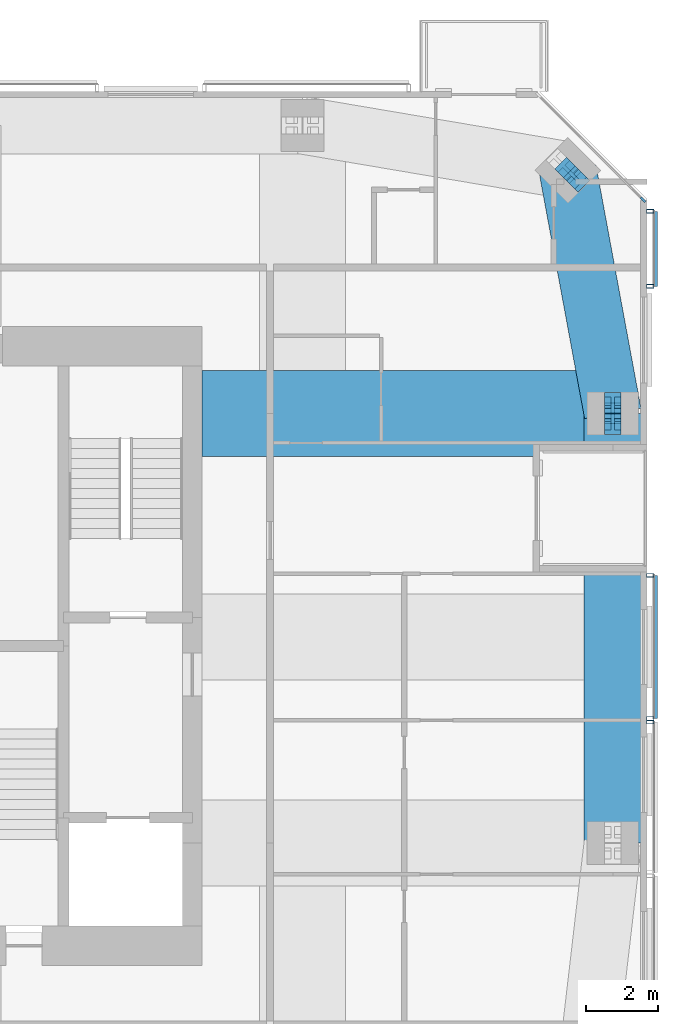
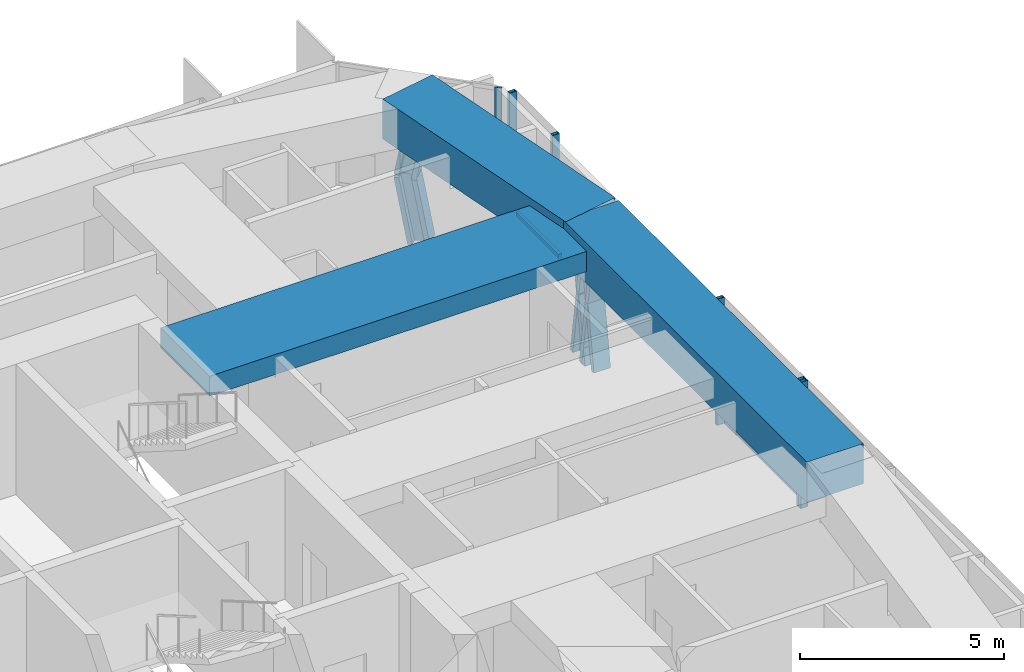
# One storey, part 9 of 20: 14 members, 3 beams, 4 elements without a shape of their own.
"""IFC4 building model written with IfcOpenShell, lengths in metres."""

from ifc_helpers import new_model, si_unit, direction, frame, origin, origin_2d, place, context, subcontext, project, spatial, rectangle, hollow_rectangle, i_section, extrude, material, material_profile, profile_set, type_object, element, aggregate, save


model = new_model("IFC4")

# Units and contexts
model_context = context("Model", 3, precision=1e-05, world=origin(), true_north=direction((0.0, 1.0)))
body_context = subcontext(model_context, "Body", "Model", "MODEL_VIEW")
ifc_project = project(units=[si_unit("LENGTHUNIT", "METRE"), si_unit("AREAUNIT", "SQUARE_METRE"), si_unit("VOLUMEUNIT", "CUBIC_METRE"), si_unit("PLANEANGLEUNIT", "RADIAN"), si_unit("MASSUNIT", "GRAM", prefix="KILO")], contexts=[model_context])

# Site, building, storey
site_placement = place(None, origin())
site = spatial("IfcSite", under=ifc_project, at=site_placement, CompositionType="ELEMENT")
building_placement = place(site_placement, origin())
building = spatial("IfcBuilding", under=site, at=building_placement, Name="Jalousie Tower", CompositionType="ELEMENT")
storey_placement = place(building_placement, frame((0.0, 0.0, 259.949951171875)))
storey = spatial("IfcBuildingStorey", under=building, at=storey_placement, Name="L71", CompositionType="ELEMENT", Elevation=259.949951171875)

# Curtain wall, member
ifc_material_1 = material(Name="Aluminium curtain wall", Category="aluminium")
curtain_wall_type_1 = type_object("IfcCurtainWallType", Name="PENTHOUSE CORNER WINDOW WALL", PredefinedType="USERDEFINED", material=ifc_material_1)
curtain_wall_1_placement = place(storey_placement, origin())
curtain_wall_1 = element("IfcCurtainWall", 1, at=curtain_wall_1_placement, inside=storey, type_object=curtain_wall_type_1, Name="Penthouse Corner Window Wall L71 4", ObjectType="PENTHOUSE CORNER WINDOW WALL", PredefinedType="USERDEFINED")
ifc_material_2 = material(Name="Aluminium mullion", Category="aluminium")
ifc_material_profile_1 = material_profile(ifc_material_2, rectangle(XDim=0.06005859375, YDim=0.179931640625, at=origin_2d()), Name="MULLION 60x180")
ifc_profile_set_1 = profile_set([ifc_material_profile_1], Name="Aluminium mullion")
member_type_1 = type_object("IfcMemberType", Name="PENTHOUSE CORNER WINDOW WALL MULLION", PredefinedType="MULLION", material=ifc_profile_set_1)
member_1_placement = place(storey_placement, frame((56.391357421875, 30.969970703125, 0.0), z_axis=(0.0, 0.0, 1.0), x_axis=(-0.707106781187, -0.707106781187, 0.0)))
member_1 = element("IfcMember", 2, at=member_1_placement, type_object=member_type_1, Name="CW-H mullion 1", PredefinedType="MULLION", context=body_context, shape_type="SweptSolid", body=[
    extrude(rectangle(XDim=0.06005859375, YDim=0.179931640625, at=origin_2d()), origin(), (0.0, 0.0, 1.0), 3.66015625),
])
aggregate(curtain_wall_1, [member_1])

# Members
ifc_material_3 = material(Name="Steel ASTM A992 Grade 50", Category="steel")
ifc_material_profile_2 = material_profile(ifc_material_3, i_section(OverallWidth=0.472412109375, OverallDepth=0.5791015625, WebThickness=0.094970703125, FlangeThickness=0.1298828125, at=origin_2d()), Name="W14X808")
ifc_profile_set_2 = profile_set([ifc_material_profile_2], Name="Steel ASTM A992 Grade 50")
member_type_2 = type_object("IfcMemberType", Name="PERIMETER BRACE W14X808", PredefinedType="BRACE", material=ifc_profile_set_2)
for number, where, z_axis, x_axis, name in (
    (3, (55.550048828125, 24.699951171875, -0.599853515625), (0.0, 0.152085080919, 0.988367405453), (-1.0, 0.0, 0.0), "Perimeter brace 07 L71 part 1"),
    (4, (55.550048828125, 25.0, 1.35009765625), (0.0, 0.152085080919, 0.988367405453), (-1.0, 0.0, 0.0), "Perimeter brace 07 L71 part 2"),
    (5, (55.550048828125, 25.300048828125, -0.599853515625), (0.0, -0.152085080919, 0.988367405453), (1.0, 0.0, 0.0), "Perimeter brace 07 L71 part 3"),
    (6, (55.550048828125, 25.0, 1.35009765625), (0.0, -0.152085080919, 0.988367405453), (1.0, 0.0, 0.0), "Perimeter brace 07 L71 part 4"),
):
    element("IfcMember", number, at=place(storey_placement, frame(where, z_axis=z_axis, x_axis=x_axis)), inside=storey, type_object=member_type_2, Name=name, PredefinedType="BRACE", context=body_context, shape_type="SweptSolid", body=[
        extrude(i_section(OverallWidth=0.472412109375, OverallDepth=0.5791015625, WebThickness=0.094970703125, FlangeThickness=0.1298828125, at=origin_2d()), origin(), (0.0, 0.0, 1.0), 1.972900390625),
    ])
for number, where, z_axis, x_axis, name in (
    (7, (54.540283203125, 31.54541015625, -0.599853515625), (-0.124836902862, 0.124960137712, 0.984276745467), (-0.707455539091, -0.706757851183, 0.0), "Perimeter brace 08 L71 part 1"),
    (8, (54.29296875, 31.79296875, 1.35009765625), (0.124836902862, -0.124960137712, 0.984276745467), (0.707455539091, 0.706757851183, 0.0), "Perimeter brace 08 L71 part 4"),
):
    element("IfcMember", number, at=place(storey_placement, frame(where, z_axis=z_axis, x_axis=x_axis)), inside=storey, type_object=member_type_2, Name=name, PredefinedType="BRACE", context=body_context, shape_type="SweptSolid", body=[
        extrude(i_section(OverallWidth=0.472412109375, OverallDepth=0.5791015625, WebThickness=0.094970703125, FlangeThickness=0.1298828125, at=origin_2d()), origin(), (0.0, 0.0, 1.0), 1.981201171875),
    ])

# Beams
ifc_material_4 = material(Name="Concrete f'c 40 MPa", Category="concrete")
ifc_material_profile_3 = material_profile(ifc_material_4, rectangle(XDim=1.60009765625, YDim=1.199951171875, at=origin_2d()), Name="RC 1600x1200")
ifc_profile_set_3 = profile_set([ifc_material_profile_3], Name="Concrete f'c 40 MPa")
beam_type_1 = type_object("IfcBeamType", Name="RC BEAM 1600x1200", PredefinedType="BEAM", material=ifc_profile_set_3)
beam_1_placement = place(storey_placement, frame((55.550048828125, 13.0, 3.300048828125), z_axis=(0.0, 1.0, 0.0), x_axis=(-1.0, 0.0, 0.0)))
element("IfcBeam", 9, at=beam_1_placement, inside=storey, type_object=beam_type_1, Name="Edge band beam 06-07 under L72", PredefinedType="BEAM", context=body_context, shape_type="SweptSolid", body=[
    extrude(rectangle(XDim=1.60009765625, YDim=1.199951171875, at=origin_2d()), origin(), (0.0, 0.0, 1.0), 12.0),
])
beam_2_placement = place(storey_placement, frame((55.550048828125, 25.0, 3.300048828125), z_axis=(-0.181966505593, 0.983304729391, 0.0), x_axis=(-0.983304729391, -0.181966505593, 0.0)))
element("IfcBeam", 10, at=beam_2_placement, inside=storey, type_object=beam_type_1, Name="Edge band beam 07-08 under L72", PredefinedType="BEAM", context=body_context, shape_type="SweptSolid", body=[
    extrude(rectangle(XDim=1.60009765625, YDim=1.199951171875, at=origin_2d()), origin(), (0.0, 0.0, 1.0), 6.908203125),
])
ifc_material_5 = material(Name="Concrete f'c 40 MPa", Category="concrete")
ifc_material_profile_4 = material_profile(ifc_material_5, rectangle(XDim=2.39990234375, YDim=0.60009765625, at=origin_2d()), Name="RC 2400x600")
ifc_profile_set_4 = profile_set([ifc_material_profile_4], Name="Concrete f'c 40 MPa")
beam_type_2 = type_object("IfcBeamType", Name="RC BEAM 2400x600", PredefinedType="BEAM", material=ifc_profile_set_4)
beam_3_placement = place(storey_placement, frame((55.550048828125, 25.0, 3.360107421875), z_axis=(-1.0, 0.0, 0.0), x_axis=(0.0, -1.0, 0.0)))
element("IfcBeam", 11, at=beam_3_placement, inside=storey, type_object=beam_type_2, Name="Floor band beam under L72", PredefinedType="BEAM", context=body_context, shape_type="SweptSolid", body=[
    extrude(rectangle(XDim=2.39990234375, YDim=0.60009765625, at=origin_2d()), origin(), (0.0, 0.0, 1.0), 11.47509765625),
])

# Curtain wall, member
ifc_material_6 = material(Name="Perforated aluminium sheet", Category="aluminium")
curtain_wall_type_2 = type_object("IfcCurtainWallType", Name="SOLAR SCREEN SS-2", PredefinedType="USERDEFINED", material=ifc_material_6)
curtain_wall_2_placement = place(storey_placement, origin())
curtain_wall_2 = element("IfcCurtainWall", 12, at=curtain_wall_2_placement, inside=storey, type_object=curtain_wall_type_2, Name="Solar screen L71", ObjectType="SOLAR SCREEN SS-2", PredefinedType="USERDEFINED")
ifc_material_7 = material(Name="Steel ASTM A500 Grade C", Category="steel")
ifc_material_profile_5 = material_profile(ifc_material_7, hollow_rectangle(XDim=0.1015625, YDim=0.203125, WallThickness=0.0078125, at=origin_2d()), Name="HSS8X4X5/16")
ifc_profile_set_5 = profile_set([ifc_material_profile_5], Name="Steel ASTM A500 Grade C")
member_type_3 = type_object("IfcMemberType", Name="SOLAR SCREEN SS-2 MULLION", PredefinedType="MULLION", material=ifc_profile_set_5)
member_2_placement = place(storey_placement, frame((56.5966796875, 16.375, -0.119873046875), z_axis=(0.0, 0.0, 1.0), x_axis=(0.0, 1.0, 0.0)))
member_2 = element("IfcMember", 13, at=member_2_placement, type_object=member_type_3, Name="SS2 post 2", PredefinedType="MULLION", context=body_context, shape_type="SweptSolid", body=[
    extrude(hollow_rectangle(XDim=0.1015625, YDim=0.203125, WallThickness=0.0078125, at=origin_2d()), origin(), (0.0, 0.0, 1.0), 3.780029296875),
])
aggregate(curtain_wall_2, [member_2])

# Curtain wall, members
curtain_wall_3_placement = place(storey_placement, origin())
curtain_wall_3 = element("IfcCurtainWall", 14, at=curtain_wall_3_placement, inside=storey, type_object=curtain_wall_type_2, Name="Solar screen L71", ObjectType="SOLAR SCREEN SS-2", PredefinedType="USERDEFINED")
member_3_placement = place(storey_placement, frame((56.5966796875, 16.47509765625, -0.119873046875), z_axis=(0.0, 0.0, 1.0), x_axis=(0.0, 1.0, 0.0)))
member_3 = element("IfcMember", 15, at=member_3_placement, type_object=member_type_3, Name="SS2 post 1", PredefinedType="MULLION", context=body_context, shape_type="SweptSolid", body=[
    extrude(hollow_rectangle(XDim=0.1015625, YDim=0.203125, WallThickness=0.0078125, at=origin_2d()), origin(), (0.0, 0.0, 1.0), 3.780029296875),
])
member_4_placement = place(storey_placement, frame((56.5966796875, 20.47509765625, -0.119873046875), z_axis=(0.0, 0.0, 1.0), x_axis=(0.0, 1.0, 0.0)))
member_4 = element("IfcMember", 16, at=member_4_placement, type_object=member_type_3, Name="SS2 post 2", PredefinedType="MULLION", context=body_context, shape_type="SweptSolid", body=[
    extrude(hollow_rectangle(XDim=0.1015625, YDim=0.203125, WallThickness=0.0078125, at=origin_2d()), origin(), (0.0, 0.0, 1.0), 3.780029296875),
])

curtain_wall_4_placement = place(storey_placement, origin())
curtain_wall_4 = element("IfcCurtainWall", 17, at=curtain_wall_4_placement, inside=storey, type_object=curtain_wall_type_2, Name="Solar screen L71", ObjectType="SOLAR SCREEN SS-2", PredefinedType="USERDEFINED")
member_5_placement = place(storey_placement, frame((56.5966796875, 28.5537109375, -0.119873046875), z_axis=(0.0, 0.0, 1.0), x_axis=(0.0, 1.0, 0.0)))
member_5 = element("IfcMember", 18, at=member_5_placement, type_object=member_type_3, Name="SS2 post 1", PredefinedType="MULLION", context=body_context, shape_type="SweptSolid", body=[
    extrude(hollow_rectangle(XDim=0.1015625, YDim=0.203125, WallThickness=0.0078125, at=origin_2d()), origin(), (0.0, 0.0, 1.0), 3.780029296875),
])
member_6_placement = place(storey_placement, frame((56.5966796875, 30.648681640625, -0.119873046875), z_axis=(0.0, 0.0, 1.0), x_axis=(0.0, 1.0, 0.0)))
member_6 = element("IfcMember", 19, at=member_6_placement, type_object=member_type_3, Name="SS2 post 2", PredefinedType="MULLION", context=body_context, shape_type="SweptSolid", body=[
    extrude(hollow_rectangle(XDim=0.1015625, YDim=0.203125, WallThickness=0.0078125, at=origin_2d()), origin(), (0.0, 0.0, 1.0), 3.780029296875),
])

# Member
ifc_material_8 = material(Name="Extruded aluminium screen rail", Category="aluminium")
ifc_material_profile_6 = material_profile(ifc_material_8, rectangle(XDim=0.1015625, YDim=0.1201171875, at=origin_2d()), Name="RAIL 102x120")
ifc_profile_set_6 = profile_set([ifc_material_profile_6], Name="Extruded aluminium screen rail")
member_type_4 = type_object("IfcMemberType", Name="SOLAR SCREEN SS-2 TRANSOM", PredefinedType="USERDEFINED", material=ifc_profile_set_6)
member_7_placement = place(storey_placement, frame((56.7490234375, 16.47509765625, -0.06005859375), z_axis=(0.0, 1.0, 0.0), x_axis=(-1.0, 0.0, 0.0)))
member_7 = element("IfcMember", 20, at=member_7_placement, type_object=member_type_4, Name="SS2 rail", ObjectType="TRANSOM", PredefinedType="USERDEFINED", context=body_context, shape_type="SweptSolid", body=[
    extrude(rectangle(XDim=0.1015625, YDim=0.1201171875, at=origin_2d()), origin(), (0.0, 0.0, 1.0), 4.0),
])

aggregate(curtain_wall_3, [member_3, member_4, member_7])

member_8_placement = place(storey_placement, frame((56.7490234375, 28.5537109375, -0.06005859375), z_axis=(0.0, 1.0, 0.0), x_axis=(-1.0, 0.0, 0.0)))
member_8 = element("IfcMember", 21, at=member_8_placement, type_object=member_type_4, Name="SS2 rail", ObjectType="TRANSOM", PredefinedType="USERDEFINED", context=body_context, shape_type="SweptSolid", body=[
    extrude(rectangle(XDim=0.1015625, YDim=0.1201171875, at=origin_2d()), origin(), (0.0, 0.0, 1.0), 2.094970703125),
])

aggregate(curtain_wall_4, [member_5, member_6, member_8])

save(model, "model.ifc")
